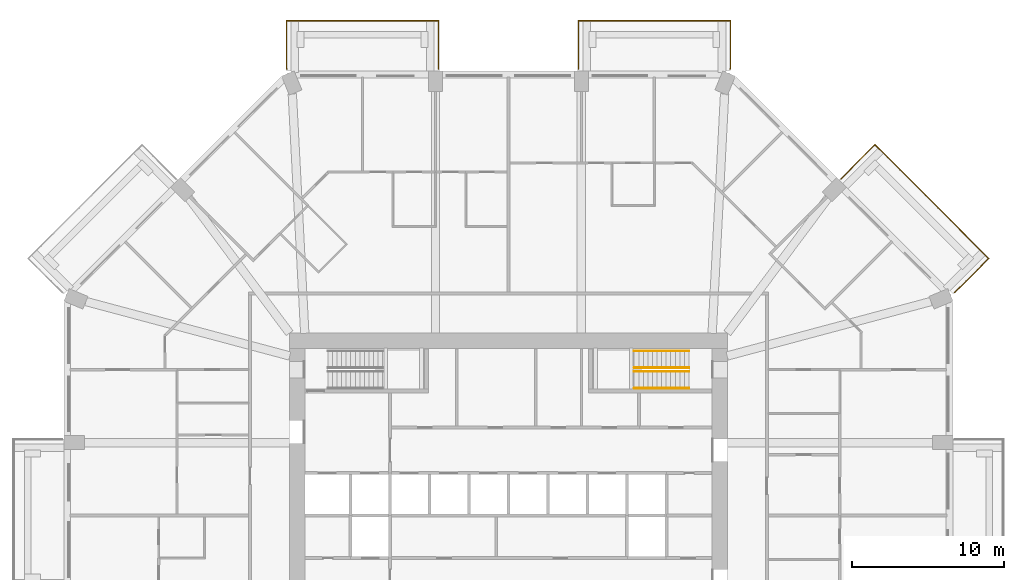
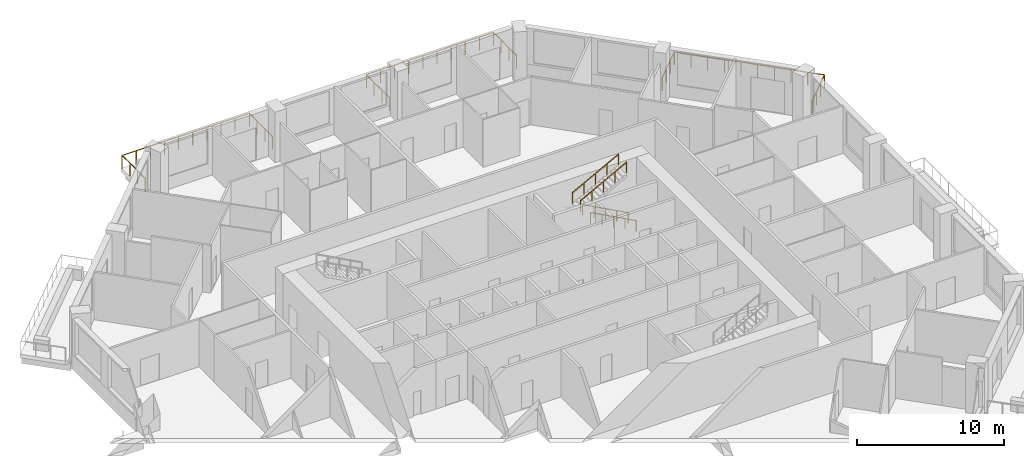
# One storey, part 13 of 13: 7 railings.
"""IFC4 building model written with IfcOpenShell, lengths in metres."""

from ifc_helpers import new_model, si_unit, direction, frame, origin, origin_2d, place, context, subcontext, project, spatial, circle, extrude, material, constituent, constituent_set, type_object, element, save


model = new_model("IFC4")

# Units and contexts
model_context = context("Model", 3, precision=1e-05, world=origin(), true_north=direction((0.0, 1.0)))
body_context = subcontext(model_context, "Body", "Model", "MODEL_VIEW")
ifc_project = project(units=[si_unit("LENGTHUNIT", "METRE"), si_unit("AREAUNIT", "SQUARE_METRE"), si_unit("VOLUMEUNIT", "CUBIC_METRE"), si_unit("PLANEANGLEUNIT", "RADIAN"), si_unit("MASSUNIT", "GRAM", prefix="KILO")], contexts=[model_context])

# Site, building, storey
site_placement = place(None, origin())
site = spatial("IfcSite", under=ifc_project, at=site_placement, CompositionType="ELEMENT")
building_placement = place(site_placement, origin())
building = spatial("IfcBuilding", under=site, at=building_placement, Name="Msitu Wima Residences", CompositionType="ELEMENT")
storey_placement = place(building_placement, frame((0.0, 0.0, 38.10009765625)))
storey = spatial("IfcBuildingStorey", under=building, at=storey_placement, Name="L08", CompositionType="ELEMENT", Elevation=38.10009765625)

# Railings
ifc_material_1 = material(Name="Steel S355", Category="steel")
ifc_constituent_1 = constituent(ifc_material_1, Name="Steel S355")
ifc_material_2 = material(Name="Weathering patina")
ifc_constituent_2 = constituent(ifc_material_2, Name="Weathering patina")
ifc_constituent_set_1 = constituent_set(constituents=[ifc_constituent_1, ifc_constituent_2], Name="Steel S355")
railing_type_1 = type_object("IfcRailingType", Name="Balcony guard GR1100", PredefinedType="GUARDRAIL", material=ifc_constituent_set_1)
railing_1_placement = place(storey_placement, frame((21.86865234375, 22.151611328125, 0.0)))
element("IfcRailing", 1, at=railing_1_placement, inside=storey, type_object=railing_type_1, Name="Balcony guard NE0 L08", PredefinedType="GUARDRAIL", context=body_context, shape_type="SweptSolid", body=[
    extrude(circle(Radius=0.02392578125, at=origin_2d()), frame((0.0, 0.0, 1.076171875), z_axis=(0.707145287287, 0.707068272989, 0.0), x_axis=(-0.707068272989, 0.707145287287, 0.0)), (0.0, 0.0, 1.0), 3.170166015625),
    extrude(circle(Radius=0.02392578125, at=origin_2d()), frame((2.24169921875, 2.241455078125, 1.076171875), z_axis=(0.70709524572, -0.707118316465, 0.0), x_axis=(0.707118316465, 0.70709524572, 0.0)), (0.0, 0.0, 1.0), 10.582275390625),
    extrude(circle(Radius=0.02392578125, at=origin_2d()), frame((9.724365234375, -5.241455078125, 1.076171875), z_axis=(-0.707106781187, -0.707106781187, 0.0), x_axis=(0.707106781187, -0.707106781187, 0.0)), (0.0, 0.0, 1.0), 3.136474609375),
    extrude(circle(Radius=0.02392578125, at=origin_2d()), frame((7.506591796875, -7.459228515625, 1.076171875), z_axis=(-0.923276184907, -0.384136806859, 0.0), x_axis=(0.384136806859, -0.923276184907, 0.0)), (0.0, 0.0, 1.0), 0.0361328125),
    extrude(circle(Radius=0.02099609375, at=origin_2d()), origin(), (0.0, 0.0, 1.0), 1.052001953125),
    extrude(circle(Radius=0.02099609375, at=origin_2d()), frame((0.747314453125, 0.7470703125, 0.0)), (0.0, 0.0, 1.0), 1.052001953125),
    extrude(circle(Radius=0.02099609375, at=origin_2d()), frame((1.494384765625, 1.494384765625, 0.0)), (0.0, 0.0, 1.0), 1.052001953125),
    extrude(circle(Radius=0.02099609375, at=origin_2d()), frame((2.24169921875, 2.241455078125, 0.0)), (0.0, 0.0, 1.0), 1.052001953125),
    extrude(circle(Radius=0.02099609375, at=origin_2d()), frame((3.072998046875, 1.409912109375, 0.0)), (0.0, 0.0, 1.0), 1.052001953125),
    extrude(circle(Radius=0.02099609375, at=origin_2d()), frame((3.904541015625, 0.57861328125, 0.0)), (0.0, 0.0, 1.0), 1.052001953125),
    extrude(circle(Radius=0.02099609375, at=origin_2d()), frame((4.73583984375, -0.2529296875, 0.0)), (0.0, 0.0, 1.0), 1.052001953125),
    extrude(circle(Radius=0.02099609375, at=origin_2d()), frame((5.5673828125, -1.084228515625, 0.0)), (0.0, 0.0, 1.0), 1.052001953125),
    extrude(circle(Radius=0.02099609375, at=origin_2d()), frame((6.398681640625, -1.915771484375, 0.0)), (0.0, 0.0, 1.0), 1.052001953125),
    extrude(circle(Radius=0.02099609375, at=origin_2d()), frame((7.230224609375, -2.7470703125, 0.0)), (0.0, 0.0, 1.0), 1.052001953125),
    extrude(circle(Radius=0.02099609375, at=origin_2d()), frame((8.0615234375, -3.57861328125, 0.0)), (0.0, 0.0, 1.0), 1.052001953125),
    extrude(circle(Radius=0.02099609375, at=origin_2d()), frame((8.89306640625, -4.409912109375, 0.0)), (0.0, 0.0, 1.0), 1.052001953125),
    extrude(circle(Radius=0.02099609375, at=origin_2d()), frame((9.724365234375, -5.241455078125, 0.0)), (0.0, 0.0, 1.0), 1.052001953125),
    extrude(circle(Radius=0.02099609375, at=origin_2d()), frame((8.985107421875, -5.980712890625, 0.0)), (0.0, 0.0, 1.0), 1.052001953125),
    extrude(circle(Radius=0.02099609375, at=origin_2d()), frame((8.245849609375, -6.719970703125, 0.0)), (0.0, 0.0, 1.0), 1.052001953125),
    extrude(circle(Radius=0.02099609375, at=origin_2d()), frame((7.506591796875, -7.459228515625, 0.0)), (0.0, 0.0, 1.0), 1.052001953125),
    extrude(circle(Radius=0.02099609375, at=origin_2d()), frame((7.47314453125, -7.47314453125, 0.0)), (0.0, 0.0, 1.0), 1.052001953125),
])
railing_2_placement = place(storey_placement, frame((4.60009765625, 29.3798828125, 0.0)))
element("IfcRailing", 2, at=railing_2_placement, inside=storey, type_object=railing_type_1, Name="Balcony guard N0 L08", PredefinedType="GUARDRAIL", context=body_context, shape_type="SweptSolid", body=[
    extrude(circle(Radius=0.02392578125, at=origin_2d()), frame((0.0, 0.0, 1.076171875), z_axis=(0.0, 1.0, 0.0), x_axis=(-1.0, 0.0, 0.0)), (0.0, 0.0, 1.0), 3.170166015625),
    extrude(circle(Radius=0.02392578125, at=origin_2d()), frame((0.0, 3.170166015625, 1.076171875), z_axis=(1.0, 0.0, 0.0), x_axis=(0.0, 1.0, 0.0)), (0.0, 0.0, 1.0), 10.0),
    extrude(circle(Radius=0.02392578125, at=origin_2d()), frame((10.0, 3.170166015625, 1.076171875), z_axis=(0.0, -1.0, 0.0), x_axis=(1.0, 0.0, 0.0)), (0.0, 0.0, 1.0), 3.136474609375),
    extrude(circle(Radius=0.02392578125, at=origin_2d()), frame((10.0, 0.03369140625, 1.076171875), z_axis=(-0.38176015442, -0.92426142649, 0.0), x_axis=(0.92426142649, -0.38176015442, 0.0)), (0.0, 0.0, 1.0), 0.036376953125),
    extrude(circle(Radius=0.02099609375, at=origin_2d()), origin(), (0.0, 0.0, 1.0), 1.052001953125),
    extrude(circle(Radius=0.02099609375, at=origin_2d()), frame((0.0, 1.056640625, 0.0)), (0.0, 0.0, 1.0), 1.052001953125),
    extrude(circle(Radius=0.02099609375, at=origin_2d()), frame((0.0, 2.113525390625, 0.0)), (0.0, 0.0, 1.0), 1.052001953125),
    extrude(circle(Radius=0.02099609375, at=origin_2d()), frame((0.0, 3.170166015625, 0.0)), (0.0, 0.0, 1.0), 1.052001953125),
    extrude(circle(Radius=0.02099609375, at=origin_2d()), frame((1.111083984375, 3.170166015625, 0.0)), (0.0, 0.0, 1.0), 1.052001953125),
    extrude(circle(Radius=0.02099609375, at=origin_2d()), frame((2.22216796875, 3.170166015625, 0.0)), (0.0, 0.0, 1.0), 1.052001953125),
    extrude(circle(Radius=0.02099609375, at=origin_2d()), frame((3.333251953125, 3.170166015625, 0.0)), (0.0, 0.0, 1.0), 1.052001953125),
    extrude(circle(Radius=0.02099609375, at=origin_2d()), frame((4.4443359375, 3.170166015625, 0.0)), (0.0, 0.0, 1.0), 1.052001953125),
    extrude(circle(Radius=0.02099609375, at=origin_2d()), frame((5.5556640625, 3.170166015625, 0.0)), (0.0, 0.0, 1.0), 1.052001953125),
    extrude(circle(Radius=0.02099609375, at=origin_2d()), frame((6.666748046875, 3.170166015625, 0.0)), (0.0, 0.0, 1.0), 1.052001953125),
    extrude(circle(Radius=0.02099609375, at=origin_2d()), frame((7.77783203125, 3.170166015625, 0.0)), (0.0, 0.0, 1.0), 1.052001953125),
    extrude(circle(Radius=0.02099609375, at=origin_2d()), frame((8.888916015625, 3.170166015625, 0.0)), (0.0, 0.0, 1.0), 1.052001953125),
    extrude(circle(Radius=0.02099609375, at=origin_2d()), frame((10.0, 3.170166015625, 0.0)), (0.0, 0.0, 1.0), 1.052001953125),
    extrude(circle(Radius=0.02099609375, at=origin_2d()), frame((10.0, 2.124755859375, 0.0)), (0.0, 0.0, 1.0), 1.052001953125),
    extrude(circle(Radius=0.02099609375, at=origin_2d()), frame((10.0, 1.0791015625, 0.0)), (0.0, 0.0, 1.0), 1.052001953125),
    extrude(circle(Radius=0.02099609375, at=origin_2d()), frame((10.0, 0.03369140625, 0.0)), (0.0, 0.0, 1.0), 1.052001953125),
    extrude(circle(Radius=0.02099609375, at=origin_2d()), frame((9.986083984375, 0.0, 0.0)), (0.0, 0.0, 1.0), 1.052001953125),
])
railing_3_placement = place(storey_placement, frame((-14.586181640625, 29.3798828125, 0.0)))
element("IfcRailing", 3, at=railing_3_placement, inside=storey, type_object=railing_type_1, Name="Balcony guard N2 L08", PredefinedType="GUARDRAIL", context=body_context, shape_type="SweptSolid", body=[
    extrude(circle(Radius=0.02392578125, at=origin_2d()), frame((0.0, 0.0, 1.076171875), z_axis=(-0.38176015442, 0.92426142649, 0.0), x_axis=(-0.92426142649, -0.38176015442, 0.0)), (0.0, 0.0, 1.0), 0.036376953125),
    extrude(circle(Radius=0.02392578125, at=origin_2d()), frame((-0.013916015625, 0.03369140625, 1.076171875), z_axis=(0.0, 1.0, 0.0), x_axis=(-1.0, 0.0, 0.0)), (0.0, 0.0, 1.0), 3.136474609375),
    extrude(circle(Radius=0.02392578125, at=origin_2d()), frame((-0.013916015625, 3.170166015625, 1.076171875), z_axis=(1.0, 0.0, 0.0), x_axis=(0.0, 1.0, 0.0)), (0.0, 0.0, 1.0), 10.0),
    extrude(circle(Radius=0.02392578125, at=origin_2d()), frame((9.986083984375, 3.170166015625, 1.076171875), z_axis=(0.0, -1.0, 0.0), x_axis=(1.0, 0.0, 0.0)), (0.0, 0.0, 1.0), 3.170166015625),
    extrude(circle(Radius=0.02099609375, at=origin_2d()), origin(), (0.0, 0.0, 1.0), 1.052001953125),
    extrude(circle(Radius=0.02099609375, at=origin_2d()), frame((-0.013916015625, 0.03369140625, 0.0)), (0.0, 0.0, 1.0), 1.052001953125),
    extrude(circle(Radius=0.02099609375, at=origin_2d()), frame((-0.013916015625, 1.0791015625, 0.0)), (0.0, 0.0, 1.0), 1.052001953125),
    extrude(circle(Radius=0.02099609375, at=origin_2d()), frame((-0.013916015625, 2.124755859375, 0.0)), (0.0, 0.0, 1.0), 1.052001953125),
    extrude(circle(Radius=0.02099609375, at=origin_2d()), frame((-0.013916015625, 3.170166015625, 0.0)), (0.0, 0.0, 1.0), 1.052001953125),
    extrude(circle(Radius=0.02099609375, at=origin_2d()), frame((1.09716796875, 3.170166015625, 0.0)), (0.0, 0.0, 1.0), 1.052001953125),
    extrude(circle(Radius=0.02099609375, at=origin_2d()), frame((2.208251953125, 3.170166015625, 0.0)), (0.0, 0.0, 1.0), 1.052001953125),
    extrude(circle(Radius=0.02099609375, at=origin_2d()), frame((3.3193359375, 3.170166015625, 0.0)), (0.0, 0.0, 1.0), 1.052001953125),
    extrude(circle(Radius=0.02099609375, at=origin_2d()), frame((4.430419921875, 3.170166015625, 0.0)), (0.0, 0.0, 1.0), 1.052001953125),
    extrude(circle(Radius=0.02099609375, at=origin_2d()), frame((5.541748046875, 3.170166015625, 0.0)), (0.0, 0.0, 1.0), 1.052001953125),
    extrude(circle(Radius=0.02099609375, at=origin_2d()), frame((6.65283203125, 3.170166015625, 0.0)), (0.0, 0.0, 1.0), 1.052001953125),
    extrude(circle(Radius=0.02099609375, at=origin_2d()), frame((7.763916015625, 3.170166015625, 0.0)), (0.0, 0.0, 1.0), 1.052001953125),
    extrude(circle(Radius=0.02099609375, at=origin_2d()), frame((8.875, 3.170166015625, 0.0)), (0.0, 0.0, 1.0), 1.052001953125),
    extrude(circle(Radius=0.02099609375, at=origin_2d()), frame((9.986083984375, 3.170166015625, 0.0)), (0.0, 0.0, 1.0), 1.052001953125),
    extrude(circle(Radius=0.02099609375, at=origin_2d()), frame((9.986083984375, 2.113525390625, 0.0)), (0.0, 0.0, 1.0), 1.052001953125),
    extrude(circle(Radius=0.02099609375, at=origin_2d()), frame((9.986083984375, 1.056640625, 0.0)), (0.0, 0.0, 1.0), 1.052001953125),
    extrude(circle(Radius=0.02099609375, at=origin_2d()), frame((9.986083984375, 0.0, 0.0)), (0.0, 0.0, 1.0), 1.052001953125),
])
ifc_constituent_3 = constituent(ifc_material_1, Name="Steel S355")
ifc_material_3 = material(Name="Black powder coating")
ifc_constituent_4 = constituent(ifc_material_3, Name="Black powder coating")
ifc_constituent_set_2 = constituent_set(constituents=[ifc_constituent_3, ifc_constituent_4], Name="Steel S355")
railing_type_2 = type_object("IfcRailingType", Name="Stair handrail HR1", PredefinedType="HANDRAIL", material=ifc_constituent_set_2)
for number, where, name in (
    (4, (11.875, 8.375, 0.161376953125), "Stair 3 handrail"),
    (5, (11.875, 9.47509765625, 0.161376953125), "Stair 3 handrail"),
):
    element("IfcRailing", number, at=place(storey_placement, frame(where)), inside=storey, type_object=railing_type_2, Name=name, PredefinedType="HANDRAIL", context=body_context, shape_type="SweptSolid", body=[
        extrude(circle(Radius=0.02392578125, at=origin_2d()), frame((0.0, 0.0, 0.8759765625), z_axis=(-0.880474934443, 0.0, 0.474092701714), x_axis=(0.0, -1.0, 0.0)), (0.0, 0.0, 1.0), 4.0888671875),
        extrude(circle(Radius=0.02099609375, at=origin_2d()), origin(), (0.0, 0.0, 1.0), 0.851806640625),
        extrude(circle(Radius=0.02099609375, at=origin_2d()), frame((-0.89990234375, 0.0, 0.484619140625)), (0.0, 0.0, 1.0), 0.851806640625),
        extrude(circle(Radius=0.02099609375, at=origin_2d()), frame((-1.800048828125, 0.0, 0.96923828125)), (0.0, 0.0, 1.0), 0.851806640625),
        extrude(circle(Radius=0.02099609375, at=origin_2d()), frame((-2.7001953125, 0.0, 1.453857421875)), (0.0, 0.0, 1.0), 0.851806640625),
        extrude(circle(Radius=0.02099609375, at=origin_2d()), frame((-3.60009765625, 0.0, 1.9384765625)), (0.0, 0.0, 1.0), 0.851806640625),
    ])
for number, where, name in (
    (6, (8.27490234375, 9.72509765625, 2.261474609375), "Stair 3 handrail"),
    (7, (8.27490234375, 10.824951171875, 2.261474609375), "Stair 3 handrail"),
):
    element("IfcRailing", number, at=place(storey_placement, frame(where)), inside=storey, type_object=railing_type_2, Name=name, PredefinedType="HANDRAIL", context=body_context, shape_type="SweptSolid", body=[
        extrude(circle(Radius=0.02392578125, at=origin_2d()), frame((0.0, 0.0, 0.8759765625), z_axis=(0.880474934443, 0.0, 0.474092701714), x_axis=(0.0, 1.0, 0.0)), (0.0, 0.0, 1.0), 4.0888671875),
        extrude(circle(Radius=0.02099609375, at=origin_2d()), origin(), (0.0, 0.0, 1.0), 0.851806640625),
        extrude(circle(Radius=0.02099609375, at=origin_2d()), frame((0.89990234375, 0.0, 0.484619140625)), (0.0, 0.0, 1.0), 0.851806640625),
        extrude(circle(Radius=0.02099609375, at=origin_2d()), frame((1.800048828125, 0.0, 0.96923828125)), (0.0, 0.0, 1.0), 0.851806640625),
        extrude(circle(Radius=0.02099609375, at=origin_2d()), frame((2.7001953125, 0.0, 1.453857421875)), (0.0, 0.0, 1.0), 0.851806640625),
        extrude(circle(Radius=0.02099609375, at=origin_2d()), frame((3.60009765625, 0.0, 1.9384765625)), (0.0, 0.0, 1.0), 0.851806640625),
    ])

save(model, "model.ifc")
